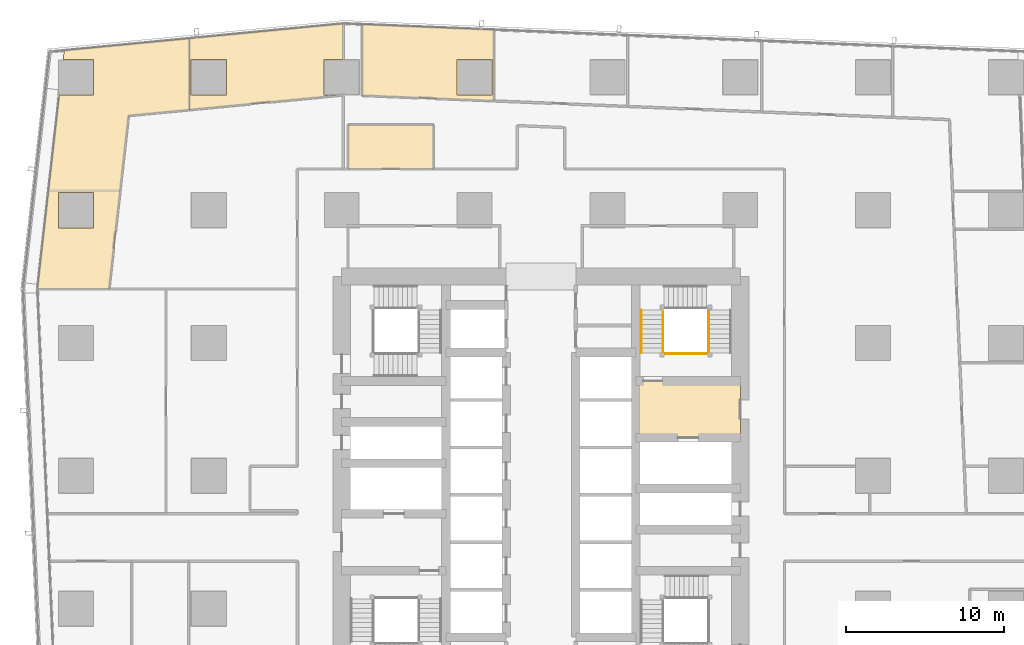
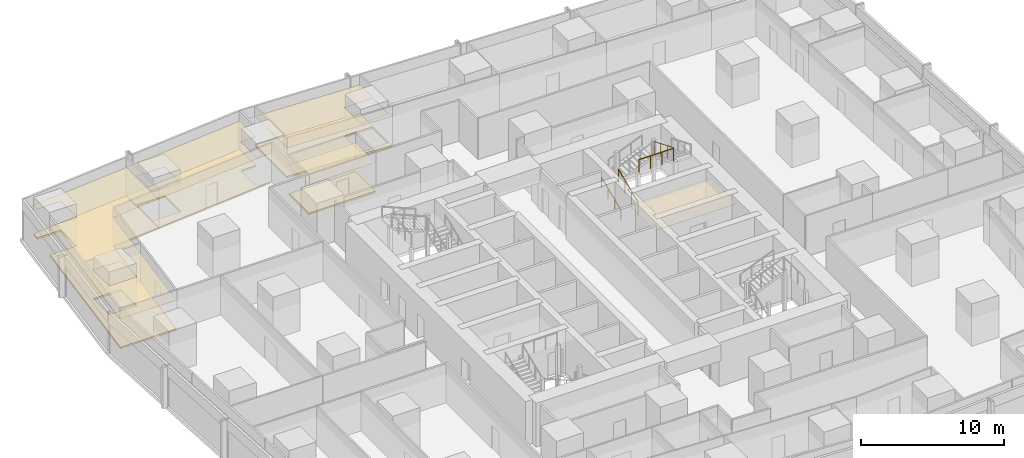
# One storey, part 43 of 45: 9 coverings, 4 railings.
"""IFC4 building model written with IfcOpenShell, lengths in metres."""

from ifc_helpers import new_model, si_unit, direction, frame, origin, origin_2d, place, context, subcontext, project, spatial, polyline, circle, outline, extrude, material, layer, layer_set, type_object, element, save


model = new_model("IFC4")

# Units and contexts
model_context = context("Model", 3, precision=1e-05, world=origin(), true_north=direction((0.0, 1.0)))
body_context = subcontext(model_context, "Body", "Model", "MODEL_VIEW")
ifc_project = project(units=[si_unit("LENGTHUNIT", "METRE"), si_unit("AREAUNIT", "SQUARE_METRE"), si_unit("VOLUMEUNIT", "CUBIC_METRE"), si_unit("PLANEANGLEUNIT", "RADIAN"), si_unit("MASSUNIT", "GRAM", prefix="KILO")], contexts=[model_context])

# Site, building, storey
site_placement = place(None, origin())
site = spatial("IfcSite", under=ifc_project, at=site_placement, CompositionType="ELEMENT")
building_placement = place(site_placement, origin())
building = spatial("IfcBuilding", under=site, at=building_placement, Name="Rekha Terrace Tower", CompositionType="ELEMENT")
storey_placement = place(building_placement, frame((0.0, 0.0, 36.64990234375)))
storey = spatial("IfcBuildingStorey", under=building, at=storey_placement, Name="L08", CompositionType="ELEMENT", Elevation=36.64990234375)

# Coverings
ifc_material_1 = material(Name="Mineral fibre tile in exposed grid", Category="finish")
ifc_layer_1 = layer(ifc_material_1, 0.02001953125)
ifc_layer_set_1 = layer_set([ifc_layer_1], Name="Mineral fibre tile in exposed grid")
covering_type_1 = type_object("IfcCoveringType", Name="CL1 600x1200 office grid ceiling", PredefinedType="CEILING", material=ifc_layer_set_1)
covering_1_placement = place(storey_placement, frame((0.0, 0.0, 2.580078125)))
element("IfcCovering", 1, at=covering_1_placement, inside=storey, type_object=covering_type_1, Name="Ceiling L08-17", PredefinedType="CEILING", context=body_context, shape_type="SweptSolid", body=[
    extrude(outline(polyline([(34.800048828125, 57.305908203125), (34.800048828125, 61.80908203125), (26.510009765625, 62.15087890625), (26.510009765625, 57.64697265625), (34.800048828125, 57.305908203125)]), holes=[polyline([(34.715087890625, 57.68505859375), (32.485107421875, 57.68505859375), (32.485107421875, 59.9150390625), (34.715087890625, 59.9150390625), (34.715087890625, 57.68505859375)])]), origin(), (0.0, 0.0, 1.0), 0.02001953125),
])
covering_2_placement = place(storey_placement, frame((0.0, 0.0, 2.580078125)))
element("IfcCovering", 2, at=covering_2_placement, inside=storey, type_object=covering_type_1, Name="Ceiling L08-18", PredefinedType="CEILING", context=body_context, shape_type="SweptSolid", body=[
    extrude(outline(polyline([(31.0, 53.0), (31.0, 55.794921875), (25.60009765625, 55.794921875), (25.60009765625, 53.0), (31.0, 53.0)])), origin(), (0.0, 0.0, 1.0), 0.02001953125),
])
covering_3_placement = place(storey_placement, frame((0.0, 0.0, 2.580078125)))
element("IfcCovering", 3, at=covering_3_placement, inside=storey, type_object=covering_type_1, Name="Ceiling L08-19", PredefinedType="CEILING", context=body_context, shape_type="SweptSolid", body=[
    extrude(outline(polyline([(25.14599609375, 57.662109375), (25.14501953125, 57.68505859375), (24.0849609375, 57.68505859375), (24.0849609375, 59.9150390625), (25.2900390625, 59.9150390625), (25.2900390625, 62.197021484375), (15.572998046875, 61.261962890625), (15.572998046875, 56.741943359375), (25.14599609375, 57.662109375)]), holes=[polyline([(17.9150390625, 57.68505859375), (15.68505859375, 57.68505859375), (15.68505859375, 59.9150390625), (17.9150390625, 59.9150390625), (17.9150390625, 57.68505859375)])]), origin(), (0.0, 0.0, 1.0), 0.02001953125),
])
covering_4_placement = place(storey_placement, frame((0.0, 0.0, 2.580078125)))
element("IfcCovering", 4, at=covering_4_placement, inside=storey, type_object=covering_type_1, Name="Ceiling L08-20", PredefinedType="CEILING", context=body_context, shape_type="SweptSolid", body=[
    extrude(outline(polyline([(9.514892578125, 57.68505859375), (7.339111328125, 57.68505859375), (6.656982421875, 51.615966796875), (5.958984375, 45.412109375), (10.488037109375, 45.412109375), (11.18505859375, 51.6201171875), (11.718994140625, 56.37109375), (15.572021484375, 56.740966796875), (15.572021484375, 61.261962890625), (7.655029296875, 60.5009765625), (7.589111328125, 59.9150390625), (9.514892578125, 59.9150390625), (9.514892578125, 57.68505859375)]), holes=[polyline([(9.514892578125, 51.514892578125), (9.514892578125, 49.284912109375), (7.284912109375, 49.284912109375), (7.284912109375, 51.514892578125), (9.514892578125, 51.514892578125)])]), origin(), (0.0, 0.0, 1.0), 0.02001953125),
])
ifc_material_2 = material(Name="Powder-coated aluminium pan", Category="aluminium")
ifc_layer_2 = layer(ifc_material_2, 0.030029296875)
ifc_layer_set_2 = layer_set([ifc_layer_2], Name="Powder-coated aluminium pan")
covering_type_2 = type_object("IfcCoveringType", Name="CL3 300x1200 metal pan ceiling", PredefinedType="CEILING", material=ifc_layer_set_2)
covering_5_placement = place(storey_placement, frame((0.0, 0.0, 2.570068359375)))
element("IfcCovering", 5, at=covering_5_placement, inside=storey, type_object=covering_type_2, Name="Ceiling L08-FLB2", PredefinedType="CEILING", context=body_context, shape_type="SweptSolid", body=[
    extrude(outline(polyline([(50.39990234375, 39.60009765625), (43.800048828125, 39.60009765625), (43.800048828125, 36.0), (50.39990234375, 36.0), (50.39990234375, 39.60009765625)])), origin(), (0.0, 0.0, 1.0), 0.030029296875),
])

# Railings
ifc_material_3 = material(Name="Stainless steel balustrade", Category="steel")
railing_type_1 = type_object("IfcRailingType", Name="GR1 1100 stair guard", PredefinedType="GUARDRAIL", material=ifc_material_3)
railing_1_placement = place(storey_placement, frame((45.514892578125, 41.375, 0.125)))
element("IfcRailing", 6, at=railing_1_placement, inside=storey, type_object=railing_type_1, Name="Guard ST2 L08 flight 1", PredefinedType="GUARDRAIL", context=body_context, shape_type="SweptSolid", body=[
    extrude(circle(Radius=0.02392578125, at=origin_2d()), frame((0.0, 0.0, 1.076171875), z_axis=(0.0, 0.923074453586, 0.384621311341), x_axis=(-1.0, 0.0, 0.0)), (0.0, 0.0, 1.0), 2.925048828125),
    extrude(circle(Radius=0.02099609375, at=origin_2d()), origin(), (0.0, 0.0, 1.0), 1.052001953125),
    extrude(circle(Radius=0.02099609375, at=origin_2d()), frame((0.0, 0.89990234375, 0.375)), (0.0, 0.0, 1.0), 1.052001953125),
    extrude(circle(Radius=0.02099609375, at=origin_2d()), frame((0.0, 1.800048828125, 0.75)), (0.0, 0.0, 1.0), 1.052001953125),
    extrude(circle(Radius=0.02099609375, at=origin_2d()), frame((0.0, 2.699951171875, 1.125)), (0.0, 0.0, 1.0), 1.052001953125),
])
railing_2_placement = place(storey_placement, frame((48.409912109375, 44.074951171875, 2.625)))
element("IfcRailing", 7, at=railing_2_placement, inside=storey, type_object=railing_type_1, Name="Guard ST2 L08 flight 3", PredefinedType="GUARDRAIL", context=body_context, shape_type="SweptSolid", body=[
    extrude(circle(Radius=0.02392578125, at=origin_2d()), frame((0.0, 0.0, 1.076171875), z_axis=(0.0, -0.923074453586, 0.384621311341), x_axis=(1.0, 0.0, 0.0)), (0.0, 0.0, 1.0), 2.925048828125),
    extrude(circle(Radius=0.02099609375, at=origin_2d()), origin(), (0.0, 0.0, 1.0), 1.052001953125),
    extrude(circle(Radius=0.02099609375, at=origin_2d()), frame((0.0, -0.89990234375, 0.375)), (0.0, 0.0, 1.0), 1.052001953125),
    extrude(circle(Radius=0.02099609375, at=origin_2d()), frame((0.0, -1.800048828125, 0.75)), (0.0, 0.0, 1.0), 1.052001953125),
    extrude(circle(Radius=0.02099609375, at=origin_2d()), frame((0.0, -2.699951171875, 1.125)), (0.0, 0.0, 1.0), 1.052001953125),
])
railing_3_placement = place(storey_placement, frame((45.574951171875, 41.31494140625, 3.75)))
element("IfcRailing", 8, at=railing_3_placement, inside=storey, type_object=railing_type_1, Name="Guard ST2 L08 landing 4", PredefinedType="GUARDRAIL", context=body_context, shape_type="SweptSolid", body=[
    extrude(circle(Radius=0.02392578125, at=origin_2d()), frame((0.0, 0.0, 1.076171875), z_axis=(1.0, 0.0, 0.0), x_axis=(0.0, 1.0, 0.0)), (0.0, 0.0, 1.0), 2.775146484375),
    extrude(circle(Radius=0.02099609375, at=origin_2d()), origin(), (0.0, 0.0, 1.0), 1.052001953125),
    extrude(circle(Radius=0.02099609375, at=origin_2d()), frame((0.925048828125, 0.0, 0.0)), (0.0, 0.0, 1.0), 1.052001953125),
    extrude(circle(Radius=0.02099609375, at=origin_2d()), frame((1.85009765625, 0.0, 0.0)), (0.0, 0.0, 1.0), 1.052001953125),
    extrude(circle(Radius=0.02099609375, at=origin_2d()), frame((2.775146484375, 0.0, 0.0)), (0.0, 0.0, 1.0), 1.052001953125),
])
ifc_material_4 = material(Name="Stainless steel tube", Category="steel")
railing_type_2 = type_object("IfcRailingType", Name="HR1 900 stair handrail", PredefinedType="HANDRAIL", material=ifc_material_4)
railing_4_placement = place(storey_placement, frame((44.135009765625, 41.375, 0.125)))
element("IfcRailing", 9, at=railing_4_placement, inside=storey, type_object=railing_type_2, Name="Handrail ST2 L08 flight 1", PredefinedType="HANDRAIL", context=body_context, shape_type="SweptSolid", body=[
    extrude(circle(Radius=0.02392578125, at=origin_2d()), frame((0.0, 0.0, 0.8759765625), z_axis=(0.0, 0.923074453586, 0.384621311341), x_axis=(-1.0, 0.0, 0.0)), (0.0, 0.0, 1.0), 2.925048828125),
    extrude(circle(Radius=0.02099609375, at=origin_2d()), origin(), (0.0, 0.0, 1.0), 0.851806640625),
    extrude(circle(Radius=0.02099609375, at=origin_2d()), frame((0.0, 0.89990234375, 0.375)), (0.0, 0.0, 1.0), 0.851806640625),
    extrude(circle(Radius=0.02099609375, at=origin_2d()), frame((0.0, 1.800048828125, 0.75)), (0.0, 0.0, 1.0), 0.851806640625),
    extrude(circle(Radius=0.02099609375, at=origin_2d()), frame((0.0, 2.699951171875, 1.125)), (0.0, 0.0, 1.0), 0.851806640625),
])

# Coverings
ifc_material_5 = material(Name="Calcium sulphate panels on steel pedestals", Category="steel")
ifc_layer_3 = layer(ifc_material_5, 0.14990234375)
ifc_layer_set_3 = layer_set([ifc_layer_3], Name="Calcium sulphate panels on steel pedestals")
covering_type_3 = type_object("IfcCoveringType", Name="RF1 150 raised access floor", PredefinedType="FLOORING", material=ifc_layer_set_3)
covering_6_placement = place(storey_placement, origin())
element("IfcCovering", 10, at=covering_6_placement, inside=storey, type_object=covering_type_3, Name="Raised floor L08-17", PredefinedType="FLOORING", context=body_context, shape_type="SweptSolid", body=[
    extrude(outline(polyline([(34.800048828125, 57.305908203125), (34.800048828125, 61.80908203125), (26.510009765625, 62.15087890625), (26.510009765625, 57.64697265625), (34.800048828125, 57.305908203125)]), holes=[polyline([(34.715087890625, 57.68505859375), (32.485107421875, 57.68505859375), (32.485107421875, 59.9150390625), (34.715087890625, 59.9150390625), (34.715087890625, 57.68505859375)])]), origin(), (0.0, 0.0, 1.0), 0.150146484375),
])
covering_7_placement = place(storey_placement, origin())
element("IfcCovering", 11, at=covering_7_placement, inside=storey, type_object=covering_type_3, Name="Raised floor L08-18", PredefinedType="FLOORING", context=body_context, shape_type="SweptSolid", body=[
    extrude(outline(polyline([(31.0, 53.0), (31.0, 55.794921875), (25.60009765625, 55.794921875), (25.60009765625, 53.0), (31.0, 53.0)])), origin(), (0.0, 0.0, 1.0), 0.150146484375),
])
covering_8_placement = place(storey_placement, origin())
element("IfcCovering", 12, at=covering_8_placement, inside=storey, type_object=covering_type_3, Name="Raised floor L08-19", PredefinedType="FLOORING", context=body_context, shape_type="SweptSolid", body=[
    extrude(outline(polyline([(25.14599609375, 57.662109375), (25.14501953125, 57.68505859375), (24.0849609375, 57.68505859375), (24.0849609375, 59.9150390625), (25.2900390625, 59.9150390625), (25.2900390625, 62.197021484375), (15.572998046875, 61.261962890625), (15.572998046875, 56.741943359375), (25.14599609375, 57.662109375)]), holes=[polyline([(17.9150390625, 57.68505859375), (15.68505859375, 57.68505859375), (15.68505859375, 59.9150390625), (17.9150390625, 59.9150390625), (17.9150390625, 57.68505859375)])]), origin(), (0.0, 0.0, 1.0), 0.150146484375),
])
covering_9_placement = place(storey_placement, origin())
element("IfcCovering", 13, at=covering_9_placement, inside=storey, type_object=covering_type_3, Name="Raised floor L08-20", PredefinedType="FLOORING", context=body_context, shape_type="SweptSolid", body=[
    extrude(outline(polyline([(9.514892578125, 57.68505859375), (7.339111328125, 57.68505859375), (6.656982421875, 51.615966796875), (5.958984375, 45.412109375), (10.488037109375, 45.412109375), (11.18505859375, 51.6201171875), (11.718994140625, 56.37109375), (15.572021484375, 56.740966796875), (15.572021484375, 61.261962890625), (7.655029296875, 60.5009765625), (7.589111328125, 59.9150390625), (9.514892578125, 59.9150390625), (9.514892578125, 57.68505859375)]), holes=[polyline([(9.514892578125, 51.514892578125), (9.514892578125, 49.284912109375), (7.284912109375, 49.284912109375), (7.284912109375, 51.514892578125), (9.514892578125, 51.514892578125)])]), origin(), (0.0, 0.0, 1.0), 0.150146484375),
])

save(model, "model.ifc")
